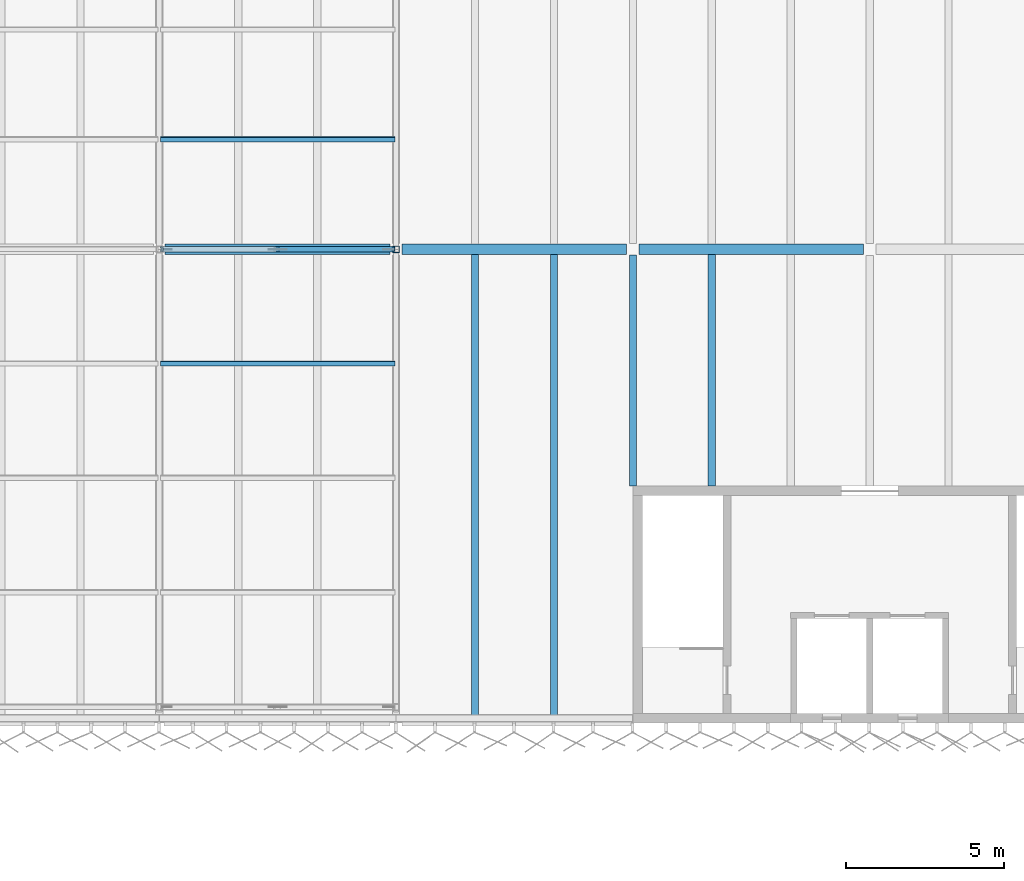
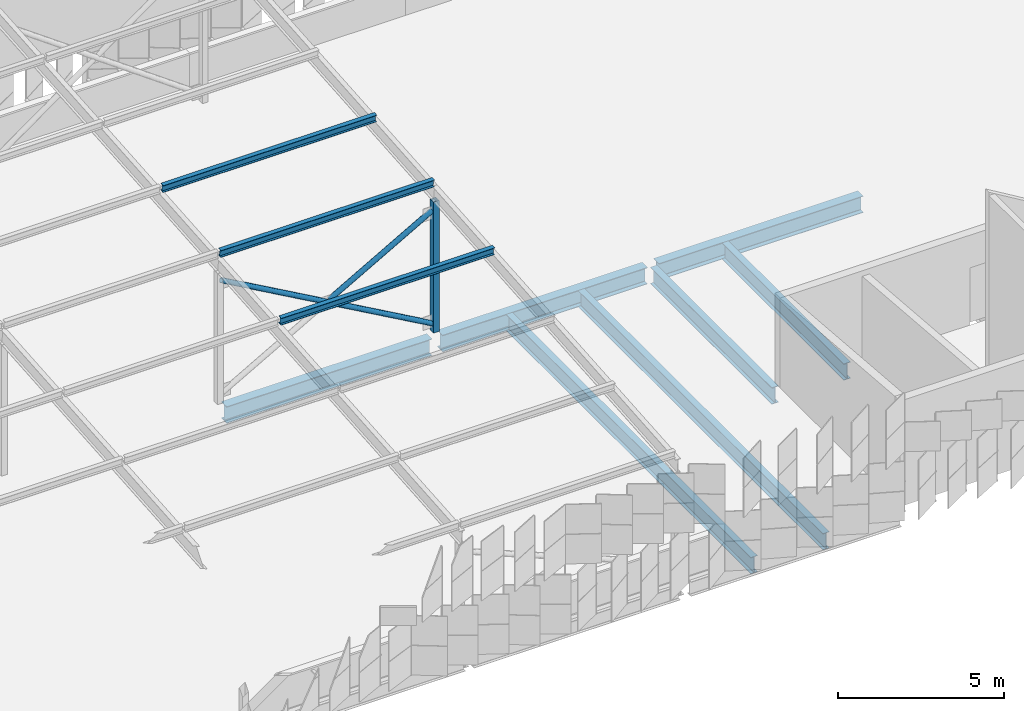
# One storey, part 44 of 483: 7 beams, 6 members.
"""IFC4 building model written with IfcOpenShell, lengths in metres."""

from ifc_helpers import new_model, si_unit, direction, frame, origin, origin_2d, place, context, subcontext, project, spatial, hollow_rectangle, hollow_circle, i_section, extrude, material, material_profile, profile_set, type_object, element, save


model = new_model("IFC4")

# Units and contexts
model_context = context("Model", 3, precision=1e-05, world=origin(), true_north=direction((0.0, 1.0)))
body_context = subcontext(model_context, "Body", "Model", "MODEL_VIEW")
ifc_project = project(units=[si_unit("LENGTHUNIT", "METRE"), si_unit("AREAUNIT", "SQUARE_METRE"), si_unit("VOLUMEUNIT", "CUBIC_METRE"), si_unit("PLANEANGLEUNIT", "RADIAN"), si_unit("MASSUNIT", "GRAM", prefix="KILO")], contexts=[model_context])

# Site, building, storey
site_placement = place(None, origin())
site = spatial("IfcSite", under=ifc_project, at=site_placement, CompositionType="ELEMENT")
building_placement = place(site_placement, origin())
building = spatial("IfcBuilding", under=site, at=building_placement, Name="Parallax Yard Mobility Hub", CompositionType="ELEMENT")
storey_placement = place(building_placement, frame((0.0, 0.0, 13.199951171875)))
storey = spatial("IfcBuildingStorey", under=building, at=storey_placement, Name="L04", CompositionType="ELEMENT", Elevation=13.199951171875)

# Members
ifc_material_1 = material(Name="Steel ASTM A500 Gr C", Category="steel")
ifc_material_profile_1 = material_profile(ifc_material_1, hollow_circle(Radius=0.0888671875, WallThickness=0.0078125, at=origin_2d()), Name="HSS177.8x7.9")
ifc_profile_set_1 = profile_set([ifc_material_profile_1], Name="Steel ASTM A500 Gr C")
member_type_1 = type_object("IfcMemberType", Name="Canopy brace HSS177.8x7.9", PredefinedType="BRACE", material=ifc_profile_set_1)
member_1_placement = place(storey_placement, frame((59.913330078125, 127.5, 0.300048828125), z_axis=(-0.870117516531, 0.0, 0.492844303432), x_axis=(0.0, -1.0, 0.0)))
element("IfcMember", 1, at=member_1_placement, inside=storey, type_object=member_type_1, Name="Canopy X brace RB bay N-A bay 4 diagonal B", PredefinedType="BRACE", context=body_context, shape_type="SweptSolid", body=[
    extrude(hollow_circle(Radius=0.0888671875, WallThickness=0.0078125, at=origin_2d()), origin(), (0.0, 0.0, 1.0), 8.42041015625),
])
member_2_placement = place(storey_placement, frame((56.33154296875, 127.5, 2.421142578125), z_axis=(0.870112904421, 0.0, 0.492852446032), x_axis=(0.0, 1.0, 0.0)))
element("IfcMember", 2, at=member_2_placement, inside=storey, type_object=member_type_1, Name="Canopy X brace RB bay N-A bay 4 diagonal A part 2", PredefinedType="BRACE", context=body_context, shape_type="SweptSolid", body=[
    extrude(hollow_circle(Radius=0.0888671875, WallThickness=0.0078125, at=origin_2d()), origin(), (0.0, 0.0, 1.0), 4.116455078125),
])
ifc_material_profile_2 = material_profile(ifc_material_1, hollow_rectangle(XDim=0.203125, YDim=0.203125, WallThickness=0.009521484375, at=origin_2d()), Name="HSS203x203x9.5")
ifc_profile_set_2 = profile_set([ifc_material_profile_2], Name="Steel ASTM A500 Gr C")
member_type_2 = type_object("IfcMemberType", Name="Canopy post HSS203x203x9.5", PredefinedType="POST", material=ifc_profile_set_2)
member_3_placement = place(storey_placement, frame((60.0, 127.5, 0.0), z_axis=(0.0, 0.0, 1.0), x_axis=(1.0, 0.0, 0.0)))
element("IfcMember", 3, at=member_3_placement, inside=storey, type_object=member_type_2, Name="Canopy post RB/N-A5", PredefinedType="POST", context=body_context, shape_type="SweptSolid", body=[
    extrude(hollow_rectangle(XDim=0.203125, YDim=0.203125, WallThickness=0.009521484375, at=origin_2d()), origin(), (0.0, 0.0, 1.0), 4.81005859375),
])
ifc_material_2 = material(Name="Steel ASTM A992", Category="steel")
ifc_material_profile_3 = material_profile(ifc_material_2, i_section(OverallWidth=0.14794921875, OverallDepth=0.26611328125, WebThickness=0.007568359375, FlangeThickness=0.012939453125, at=origin_2d()), Name="W250x45")
ifc_profile_set_3 = profile_set([ifc_material_profile_3], Name="Steel ASTM A992")
member_type_3 = type_object("IfcMemberType", Name="Canopy purlin W250x45", PredefinedType="PURLIN", material=ifc_profile_set_3)
for number, where, z_axis, x_axis, name in (
    (4, (52.5400390625, 123.885498046875, 5.172119140625), (1.0, 0.0, 0.0), (0.0, 0.996815308126, 0.079744852409), "Canopy purlin sector N-A bay 4 line 4"),
    (5, (52.5400390625, 127.510498046875, 5.462158203125), (1.0, 0.0, 0.0), (0.0, 0.996815308126, 0.079744852409), "Canopy purlin sector N-A bay 4 line 5"),
    (6, (52.5400390625, 130.985595703125, 5.739990234375), (1.0, 0.0, 0.0), (0.0, 0.996815308126, 0.079744852409), "Canopy purlin sector N-A bay 4 line 6"),
):
    element("IfcMember", number, at=place(storey_placement, frame(where, z_axis=z_axis, x_axis=x_axis)), inside=storey, type_object=member_type_3, Name=name, PredefinedType="PURLIN", context=body_context, shape_type="SweptSolid", body=[
        extrude(i_section(OverallWidth=0.14794921875, OverallDepth=0.26611328125, WebThickness=0.007568359375, FlangeThickness=0.012939453125, at=origin_2d()), origin(), (0.0, 0.0, 1.0), 7.419921875),
    ])

# Beams
ifc_material_profile_4 = material_profile(ifc_material_2, i_section(OverallWidth=0.22802734375, OverallDepth=0.60205078125, WebThickness=0.010498046875, FlangeThickness=0.014892578125, FilletRadius=0.0126953125, at=origin_2d()), Name="W610x101")
ifc_profile_set_4 = profile_set([ifc_material_profile_4], Name="Steel ASTM A992")
beam_type_1 = type_object("IfcBeamType", Name="W610x101 secondary beam", PredefinedType="JOIST", material=ifc_profile_set_4)
beam_1_placement = place(storey_placement, frame((70.0, 120.0, -0.44091796875), z_axis=(0.0, 1.0, 0.0), x_axis=(-1.0, 0.0, 0.0)))
element("IfcBeam", 7, at=beam_1_placement, inside=storey, type_object=beam_type_1, Name="Secondary beam B3 level L04, 2.5 m east of line 10 of ramped parking decks, span 1", PredefinedType="JOIST", context=body_context, shape_type="SweptSolid", body=[
    extrude(i_section(OverallWidth=0.22802734375, OverallDepth=0.60205078125, WebThickness=0.010498046875, FlangeThickness=0.014892578125, FilletRadius=0.0126953125, at=origin_2d()), origin(), (0.0, 0.0, 1.0), 7.33740234375),
])
for number, where, z_axis, x_axis, name in (
    (8, (62.5, 112.6044921875, -0.44091796875), (0.0, 1.0, 0.0), (-1.0, 0.0, 0.0), "Secondary beam B3 level L04, 2.5 m east of line 9 of ramped parking decks, span 1"),
    (9, (65.0, 112.6044921875, -0.44091796875), (0.0, 1.0, 0.0), (-1.0, 0.0, 0.0), "Secondary beam B3 level L04, 5 m east of line 9 of ramped parking decks, span 1"),
):
    element("IfcBeam", number, at=place(storey_placement, frame(where, z_axis=z_axis, x_axis=x_axis)), inside=storey, type_object=beam_type_1, Name=name, PredefinedType="JOIST", context=body_context, shape_type="SweptSolid", body=[
        extrude(i_section(OverallWidth=0.22802734375, OverallDepth=0.60205078125, WebThickness=0.010498046875, FlangeThickness=0.014892578125, FilletRadius=0.0126953125, at=origin_2d()), origin(), (0.0, 0.0, 1.0), 14.73291015625),
    ])
ifc_material_profile_5 = material_profile(ifc_material_2, i_section(OverallWidth=0.22900390625, OverallDepth=0.612060546875, WebThickness=0.011962890625, FlangeThickness=0.01953125, FilletRadius=0.0126953125, at=origin_2d()), Name="W610x125")
ifc_profile_set_5 = profile_set([ifc_material_profile_5], Name="Steel ASTM A992")
beam_type_2 = type_object("IfcBeamType", Name="W610x125 girder", PredefinedType="BEAM", material=ifc_profile_set_5)
beam_2_placement = place(storey_placement, frame((67.5, 120.0, -0.446044921875), z_axis=(0.0, 1.0, 0.0), x_axis=(-1.0, 0.0, 0.0)))
element("IfcBeam", 10, at=beam_2_placement, inside=storey, type_object=beam_type_2, Name="Girder G3 level L04, line 10 of ramped parking decks, span 1", PredefinedType="BEAM", context=body_context, shape_type="SweptSolid", body=[
    extrude(i_section(OverallWidth=0.22900390625, OverallDepth=0.612060546875, WebThickness=0.011962890625, FlangeThickness=0.01953125, FilletRadius=0.0126953125, at=origin_2d()), origin(), (0.0, 0.0, 1.0), 7.31201171875),
])
ifc_material_profile_6 = material_profile(ifc_material_2, i_section(OverallWidth=0.324951171875, OverallDepth=0.612060546875, WebThickness=0.0126953125, FlangeThickness=0.01904296875, FilletRadius=0.0126953125, at=origin_2d()), Name="W610x155")
ifc_profile_set_6 = profile_set([ifc_material_profile_6], Name="Steel ASTM A992")
beam_type_3 = type_object("IfcBeamType", Name="W610x155 longitudinal beam", PredefinedType="BEAM", material=ifc_profile_set_6)
beam_3_placement = place(storey_placement, frame((52.6865234375, 127.5, -0.446044921875), z_axis=(1.0, 0.0, 0.0), x_axis=(0.0, 1.0, 0.0)))
element("IfcBeam", 11, at=beam_3_placement, inside=storey, type_object=beam_type_3, Name="Longitudinal beam SB8 level L04, line T of ramped parking decks, span 4", PredefinedType="BEAM", context=body_context, shape_type="SweptSolid", body=[
    extrude(i_section(OverallWidth=0.324951171875, OverallDepth=0.612060546875, WebThickness=0.0126953125, FlangeThickness=0.01904296875, FilletRadius=0.0126953125, at=origin_2d()), origin(), (0.0, 0.0, 1.0), 7.126953125),
])
beam_4_placement = place(storey_placement, frame((60.1865234375, 127.5, -0.446044921875), z_axis=(1.0, 0.0, 0.0), x_axis=(0.0, 1.0, 0.0)))
element("IfcBeam", 12, at=beam_4_placement, inside=storey, type_object=beam_type_3, Name="Longitudinal beam SB8 level L04, line T of ramped parking decks, span 5", PredefinedType="BEAM", context=body_context, shape_type="SweptSolid", body=[
    extrude(i_section(OverallWidth=0.324951171875, OverallDepth=0.612060546875, WebThickness=0.0126953125, FlangeThickness=0.01904296875, FilletRadius=0.0126953125, at=origin_2d()), origin(), (0.0, 0.0, 1.0), 7.116455078125),
])
beam_5_placement = place(storey_placement, frame((67.697021484375, 127.5, -0.446044921875), z_axis=(1.0, 0.0, 0.0), x_axis=(0.0, 1.0, 0.0)))
element("IfcBeam", 13, at=beam_5_placement, inside=storey, type_object=beam_type_3, Name="Longitudinal beam SB8 level L04, line T of ramped parking decks, span 6", PredefinedType="BEAM", context=body_context, shape_type="SweptSolid", body=[
    extrude(i_section(OverallWidth=0.324951171875, OverallDepth=0.612060546875, WebThickness=0.0126953125, FlangeThickness=0.01904296875, FilletRadius=0.0126953125, at=origin_2d()), origin(), (0.0, 0.0, 1.0), 7.10498046875),
])

save(model, "model.ifc")
